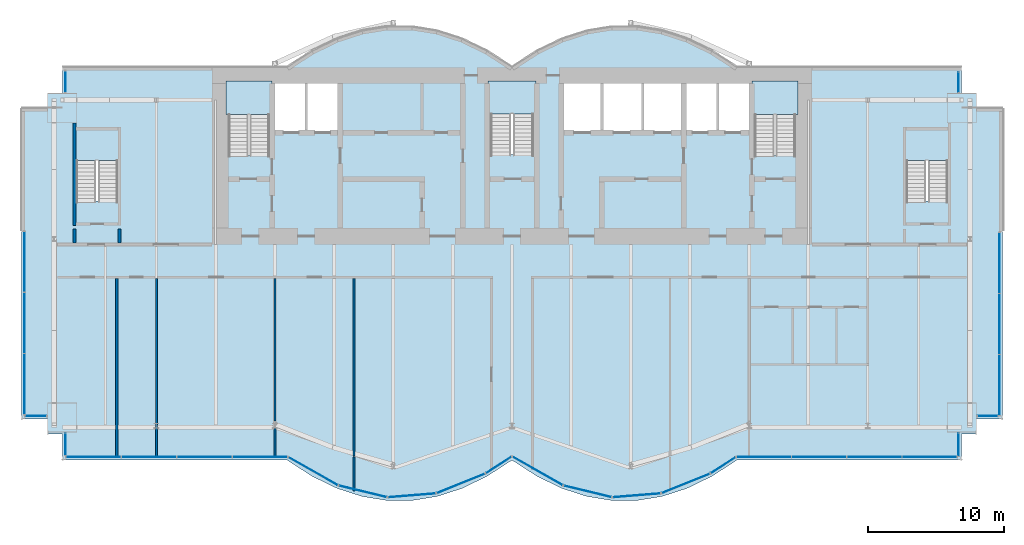
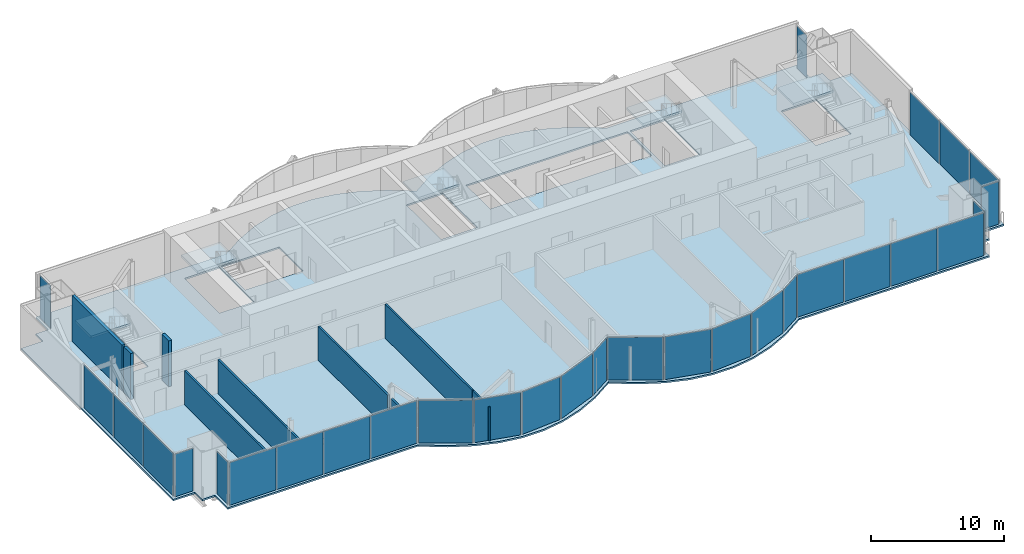
# One storey, part 12 of 19: 30 plates, 9 walls, 6 slabs, 17 elements without a shape of their own.
"""IFC4 building model written with IfcOpenShell, lengths in metres."""

from ifc_helpers import new_model, si_unit, direction, frame, frame_2d, origin, origin_2d, place, context, subcontext, project, spatial, polyline, rectangle, outline, extrude, material, layer, layer_set, type_object, element, aggregate, save


model = new_model("IFC4")

# Units and contexts
model_context = context("Model", 3, precision=1e-05, world=origin(), true_north=direction((0.0, 1.0)))
body_context = subcontext(model_context, "Body", "Model", "MODEL_VIEW")
ifc_project = project(units=[si_unit("LENGTHUNIT", "METRE"), si_unit("AREAUNIT", "SQUARE_METRE"), si_unit("VOLUMEUNIT", "CUBIC_METRE"), si_unit("PLANEANGLEUNIT", "RADIAN"), si_unit("MASSUNIT", "GRAM", prefix="KILO")], contexts=[model_context])

# Site, building, storey
site_placement = place(None, origin())
site = spatial("IfcSite", under=ifc_project, at=site_placement, CompositionType="ELEMENT")
building_placement = place(site_placement, origin())
building = spatial("IfcBuilding", under=site, at=building_placement, Name="Bicima Exchange Tower", CompositionType="ELEMENT")
storey_placement = place(building_placement, frame((0.0, 0.0, 266.60009765625)))
storey = spatial("IfcBuildingStorey", under=building, at=storey_placement, Name="L60", CompositionType="ELEMENT", Elevation=266.60009765625)

# Slab
ifc_material_1 = material(Name="Concrete C40/50", Category="concrete")
ifc_layer_1 = layer(ifc_material_1, 0.14990234375)
ifc_layer_set_1 = layer_set([ifc_layer_1], Name="Concrete C40/50")
slab_type_1 = type_object("IfcSlabType", Name="Composite floor slab 150", PredefinedType="FLOOR", material=ifc_layer_set_1)
slab_1_placement = place(storey_placement, frame((0.0, 0.0, -0.150146484375)))
element("IfcSlab", 1, at=slab_1_placement, inside=storey, type_object=slab_type_1, Name="Floor slab", PredefinedType="FLOOR", context=body_context, shape_type="SweptSolid", body=[
    extrude(outline(polyline([(-36.0, -25.823974609375), (-36.0, -3.0), (-34.10009765625, -3.0), (-34.10009765625, -1.89990234375), (-33.0, -1.89990234375), (-33.0, 0.0), (-16.5, 0.0), (-14.666748046875, 1.185302734375), (-12.833251953125, 2.07421875), (-11.0, 2.666748046875), (-9.166748046875, 2.962890625), (-7.333251953125, 2.962890625), (-5.5, 2.666748046875), (-3.666748046875, 2.07421875), (-1.833251953125, 1.185302734375), (0.0, 0.0), (1.833251953125, 1.185302734375), (3.666748046875, 2.07421875), (5.5, 2.666748046875), (7.333251953125, 2.962890625), (9.166748046875, 2.962890625), (11.0, 2.666748046875), (12.833251953125, 2.07421875), (14.666748046875, 1.185302734375), (16.5, 0.0), (33.0, 0.0), (33.0, -1.89990234375), (34.10009765625, -1.89990234375), (34.10009765625, -3.0), (36.0, -3.0), (36.0, -25.823974609375), (34.10009765625, -25.823974609375), (34.10009765625, -26.924072265625), (33.0, -26.924072265625), (33.0, -28.823974609375), (16.5, -28.823974609375), (14.666748046875, -30.00927734375), (12.833251953125, -30.898193359375), (11.0, -31.49072265625), (9.166748046875, -31.787109375), (7.333251953125, -31.787109375), (5.5, -31.49072265625), (3.666748046875, -30.898193359375), (1.833251953125, -30.00927734375), (0.0, -28.823974609375), (-1.833251953125, -30.00927734375), (-3.666748046875, -30.898193359375), (-5.5, -31.49072265625), (-7.333251953125, -31.787109375), (-9.166748046875, -31.787109375), (-11.0, -31.49072265625), (-12.833251953125, -30.898193359375), (-14.666748046875, -30.00927734375), (-16.5, -28.823974609375), (-33.0, -28.823974609375), (-33.0, -26.924072265625), (-34.10009765625, -26.924072265625), (-34.10009765625, -25.823974609375), (-36.0, -25.823974609375)]), holes=[polyline([(-28.925048828125, -9.824951171875), (-28.925048828125, -4.625), (-31.97509765625, -4.625), (-31.97509765625, -9.824951171875), (-28.925048828125, -9.824951171875)]), polyline([(-20.800048828125, -6.449951171875), (-17.800048828125, -6.449951171875), (-17.800048828125, -1.199951171875), (-20.800048828125, -1.199951171875), (-20.800048828125, -6.449951171875)]), polyline([(-1.574951171875, -6.39990234375), (1.574951171875, -6.39990234375), (1.574951171875, -1.199951171875), (-1.574951171875, -1.199951171875), (-1.574951171875, -6.39990234375)]), polyline([(-12.60009765625, -1.199951171875), (-15.10009765625, -1.199951171875), (-17.60009765625, -1.199951171875), (-17.60009765625, -4.800048828125), (-15.10009765625, -4.800048828125), (-12.60009765625, -4.800048828125), (-12.60009765625, -1.199951171875)]), polyline([(3.60009765625, -4.800048828125), (6.60009765625, -4.800048828125), (9.60009765625, -4.800048828125), (12.60009765625, -4.800048828125), (15.10009765625, -4.800048828125), (17.60009765625, -4.800048828125), (17.60009765625, -1.199951171875), (15.10009765625, -1.199951171875), (12.60009765625, -1.199951171875), (9.60009765625, -1.199951171875), (6.60009765625, -1.199951171875), (3.60009765625, -1.199951171875), (3.60009765625, -4.800048828125)]), polyline([(31.97509765625, -9.824951171875), (31.97509765625, -4.625), (28.925048828125, -4.625), (28.925048828125, -9.824951171875), (31.97509765625, -9.824951171875)]), polyline([(17.800048828125, -6.449951171875), (20.800048828125, -6.449951171875), (20.800048828125, -1.199951171875), (17.800048828125, -1.199951171875), (17.800048828125, -6.449951171875)])]), origin(), (0.0, 0.0, 1.0), 0.150146484375),
])

# Curtain wall, plate
ifc_material_2 = material(Name="Anodised bronze aluminium", Category="aluminium")
curtain_wall_type_1 = type_object("IfcCurtainWallType", Name="End face glass wall", PredefinedType="NOTDEFINED", material=ifc_material_2)
curtain_wall_1_placement = place(storey_placement, origin())
curtain_wall_1 = element("IfcCurtainWall", 2, at=curtain_wall_1_placement, inside=storey, type_object=curtain_wall_type_1, Name="End face glass wall L60 run 2", PredefinedType="NOTDEFINED")
ifc_material_3 = material(Name="Bronze tinted glass", Category="glass")
ifc_layer_2 = layer(ifc_material_3, 0.031982421875)
ifc_layer_set_2 = layer_set([ifc_layer_2], Name="Bronze tinted glass")
plate_type_1 = type_object("IfcPlateType", Name="End face glass wall glass panel 32", PredefinedType="CURTAIN_PANEL", material=ifc_layer_set_2)
plate_1_placement = place(storey_placement, frame((-35.77001953125, -23.24169921875, 0.0), z_axis=(0.0, 0.0, 1.0), x_axis=(0.0, -1.0, 0.0)))
plate_1 = element("IfcPlate", 3, at=plate_1_placement, type_object=plate_type_1, Name="End face glass wall panel 3.1", PredefinedType="CURTAIN_PANEL", context=body_context, shape_type="SweptSolid", body=[
    extrude(rectangle(XDim=4.4248046875, YDim=0.031982421875, at=origin_2d()), origin(), (0.0, 0.0, 1.0), 3.909912109375),
])

curtain_wall_2_placement = place(storey_placement, origin())
curtain_wall_2 = element("IfcCurtainWall", 4, at=curtain_wall_2_placement, inside=storey, type_object=curtain_wall_type_1, Name="End face glass wall L60 run 19", PredefinedType="NOTDEFINED")
plate_2_placement = place(storey_placement, frame((35.77001953125, -23.32177734375, 0.0), z_axis=(0.0, 0.0, 1.0), x_axis=(0.0, 1.0, 0.0)))
plate_2 = element("IfcPlate", 5, at=plate_2_placement, type_object=plate_type_1, Name="End face glass wall panel 1.1", PredefinedType="CURTAIN_PANEL", context=body_context, shape_type="SweptSolid", body=[
    extrude(rectangle(XDim=4.4248046875, YDim=0.031982421875, at=origin_2d()), origin(), (0.0, 0.0, 1.0), 3.909912109375),
])

# Plate
ifc_material_4 = material(Name="Bronze anodised aluminium", Category="aluminium")
ifc_layer_3 = layer(ifc_material_4, 0.031982421875)
ifc_layer_set_3 = layer_set([ifc_layer_3], Name="Bronze anodised aluminium")
plate_type_2 = type_object("IfcPlateType", Name="End face glass wall spandrel panel 32", PredefinedType="CURTAIN_PANEL", material=ifc_layer_set_3)
plate_3_placement = place(storey_placement, frame((-35.77001953125, -14.272216796875, 0.0), z_axis=(0.0, 0.0, 1.0), x_axis=(0.0, -1.0, 0.0)))
plate_3 = element("IfcPlate", 6, at=plate_3_placement, type_object=plate_type_2, Name="End face spandrel wall panel 1.1", PredefinedType="CURTAIN_PANEL", context=body_context, shape_type="SweptSolid", body=[
    extrude(rectangle(XDim=4.4248046875, YDim=0.031982421875, at=origin_2d()), origin(), (0.0, 0.0, 1.0), 3.909912109375),
])

plate_4_placement = place(storey_placement, frame((-35.77001953125, -18.757080078125, 0.0), z_axis=(0.0, 0.0, 1.0), x_axis=(0.0, -1.0, 0.0)))
plate_4 = element("IfcPlate", 7, at=plate_4_placement, type_object=plate_type_2, Name="End face spandrel wall panel 2.1", PredefinedType="CURTAIN_PANEL", context=body_context, shape_type="SweptSolid", body=[
    extrude(rectangle(XDim=4.4248046875, YDim=0.031982421875, at=origin_2d()), origin(), (0.0, 0.0, 1.0), 3.909912109375),
])

aggregate(curtain_wall_1, [plate_3, plate_4, plate_1])

plate_5_placement = place(storey_placement, frame((35.77001953125, -18.8369140625, 0.0), z_axis=(0.0, 0.0, 1.0), x_axis=(0.0, 1.0, 0.0)))
plate_5 = element("IfcPlate", 8, at=plate_5_placement, type_object=plate_type_2, Name="End face spandrel wall panel 2.1", PredefinedType="CURTAIN_PANEL", context=body_context, shape_type="SweptSolid", body=[
    extrude(rectangle(XDim=4.4248046875, YDim=0.031982421875, at=origin_2d()), origin(), (0.0, 0.0, 1.0), 3.909912109375),
])

plate_6_placement = place(storey_placement, frame((35.77001953125, -14.352294921875, 0.0), z_axis=(0.0, 0.0, 1.0), x_axis=(0.0, 1.0, 0.0)))
plate_6 = element("IfcPlate", 9, at=plate_6_placement, type_object=plate_type_2, Name="End face spandrel wall panel 3.1", PredefinedType="CURTAIN_PANEL", context=body_context, shape_type="SweptSolid", body=[
    extrude(rectangle(XDim=4.4248046875, YDim=0.031982421875, at=origin_2d()), origin(), (0.0, 0.0, 1.0), 3.909912109375),
])

aggregate(curtain_wall_2, [plate_2, plate_5, plate_6])

# Curtain wall, plate
curtain_wall_type_2 = type_object("IfcCurtainWallType", Name="Front glass wall", PredefinedType="NOTDEFINED", material=ifc_material_2)
curtain_wall_3_placement = place(storey_placement, origin())
curtain_wall_3 = element("IfcCurtainWall", 10, at=curtain_wall_3_placement, inside=storey, type_object=curtain_wall_type_2, Name="Front glass wall L60 run 1", PredefinedType="NOTDEFINED")
ifc_layer_4 = layer(ifc_material_3, 0.031982421875)
ifc_layer_set_4 = layer_set([ifc_layer_4], Name="Bronze tinted glass")
plate_type_3 = type_object("IfcPlateType", Name="Front glass wall glass panel 32", PredefinedType="CURTAIN_PANEL", material=ifc_layer_set_4)
plate_7_placement = place(storey_placement, frame((-32.77001953125, -1.06494140625, 0.0), z_axis=(0.0, 0.0, 1.0), x_axis=(0.0, -1.0, 0.0)))
plate_7 = element("IfcPlate", 11, at=plate_7_placement, type_object=plate_type_3, Name="Front glass wall panel 1.1", PredefinedType="CURTAIN_PANEL", context=body_context, shape_type="SweptSolid", body=[
    extrude(rectangle(XDim=1.550048828125, YDim=0.031982421875, at=origin_2d()), origin(), (0.0, 0.0, 1.0), 3.909912109375),
])
aggregate(curtain_wall_3, [plate_7])

curtain_wall_4_placement = place(storey_placement, origin())
curtain_wall_4 = element("IfcCurtainWall", 12, at=curtain_wall_4_placement, inside=storey, type_object=curtain_wall_type_2, Name="Front glass wall L60 run 3", PredefinedType="NOTDEFINED")
plate_8_placement = place(storey_placement, frame((-34.93505859375, -25.593994140625, 0.0), z_axis=(0.0, 0.0, 1.0), x_axis=(1.0, 0.0, 0.0)))
plate_8 = element("IfcPlate", 13, at=plate_8_placement, type_object=plate_type_3, Name="Front glass wall panel 1.1", PredefinedType="CURTAIN_PANEL", context=body_context, shape_type="SweptSolid", body=[
    extrude(rectangle(XDim=1.550048828125, YDim=0.031982421875, at=origin_2d()), origin(), (0.0, 0.0, 1.0), 3.909912109375),
])
aggregate(curtain_wall_4, [plate_8])

curtain_wall_5_placement = place(storey_placement, origin())
curtain_wall_5 = element("IfcCurtainWall", 14, at=curtain_wall_5_placement, inside=storey, type_object=curtain_wall_type_2, Name="Front glass wall L60 run 4", PredefinedType="NOTDEFINED")
plate_9_placement = place(storey_placement, frame((-32.77001953125, -27.657958984375, 0.0), z_axis=(0.0, 0.0, 1.0), x_axis=(0.0, -1.0, 0.0)))
plate_9 = element("IfcPlate", 15, at=plate_9_placement, type_object=plate_type_3, Name="Front glass wall panel 1.1", PredefinedType="CURTAIN_PANEL", context=body_context, shape_type="SweptSolid", body=[
    extrude(rectangle(XDim=1.592041015625, YDim=0.031982421875, at=origin_2d()), origin(), (0.0, 0.0, 1.0), 3.909912109375),
])
aggregate(curtain_wall_5, [plate_9])

# Curtain wall, plates
curtain_wall_6_placement = place(storey_placement, origin())
curtain_wall_6 = element("IfcCurtainWall", 16, at=curtain_wall_6_placement, inside=storey, type_object=curtain_wall_type_2, Name="Front glass wall L60 run 5", PredefinedType="NOTDEFINED")
plate_10_placement = place(storey_placement, frame((-30.705322265625, -28.593994140625, 0.0), z_axis=(0.0, 0.0, 1.0), x_axis=(1.0, 0.0, 0.0)))
plate_10 = element("IfcPlate", 17, at=plate_10_placement, type_object=plate_type_3, Name="Front glass wall panel 1.1", PredefinedType="CURTAIN_PANEL", context=body_context, shape_type="SweptSolid", body=[
    extrude(rectangle(XDim=4.009521484375, YDim=0.031982421875, at=origin_2d()), origin(), (0.0, 0.0, 1.0), 3.909912109375),
])
plate_11_placement = place(storey_placement, frame((-26.6357421875, -28.593994140625, 0.0), z_axis=(0.0, 0.0, 1.0), x_axis=(1.0, 0.0, 0.0)))
plate_11 = element("IfcPlate", 18, at=plate_11_placement, type_object=plate_type_3, Name="Front glass wall panel 2.1", PredefinedType="CURTAIN_PANEL", context=body_context, shape_type="SweptSolid", body=[
    extrude(rectangle(XDim=4.009521484375, YDim=0.031982421875, at=origin_2d()), origin(), (0.0, 0.0, 1.0), 3.909912109375),
])
plate_12_placement = place(storey_placement, frame((-22.56640625, -28.593994140625, 0.0), z_axis=(0.0, 0.0, 1.0), x_axis=(1.0, 0.0, 0.0)))
plate_12 = element("IfcPlate", 19, at=plate_12_placement, type_object=plate_type_3, Name="Front glass wall panel 3.1", PredefinedType="CURTAIN_PANEL", context=body_context, shape_type="SweptSolid", body=[
    extrude(rectangle(XDim=4.009521484375, YDim=0.031982421875, at=origin_2d()), origin(), (0.0, 0.0, 1.0), 3.909912109375),
])
plate_13_placement = place(storey_placement, frame((-18.496826171875, -28.593994140625, 0.0), z_axis=(0.0, 0.0, 1.0), x_axis=(1.0, 0.0, 0.0)))
plate_13 = element("IfcPlate", 20, at=plate_13_placement, type_object=plate_type_3, Name="Front glass wall panel 4.1", PredefinedType="CURTAIN_PANEL", context=body_context, shape_type="SweptSolid", body=[
    extrude(rectangle(XDim=4.009521484375, YDim=0.031982421875, at=origin_2d()), origin(), (0.0, 0.0, 1.0), 3.909912109375),
])
aggregate(curtain_wall_6, [plate_10, plate_11, plate_12, plate_13])

curtain_wall_7_placement = place(storey_placement, origin())
curtain_wall_7 = element("IfcCurtainWall", 21, at=curtain_wall_7_placement, inside=storey, type_object=curtain_wall_type_2, Name="Front glass wall L60 run 6", PredefinedType="NOTDEFINED")
plate_14_placement = place(storey_placement, frame((-10.94775390625, -31.12060546875, 0.0), z_axis=(0.0, 0.0, 1.0), x_axis=(0.971830343553, -0.235681529503, 0.0)))
plate_14 = element("IfcPlate", 22, at=plate_14_placement, type_object=plate_type_3, Name="Front glass wall panel 1.1", PredefinedType="CURTAIN_PANEL", context=body_context, shape_type="SweptSolid", body=[
    extrude(rectangle(XDim=3.583251953125, YDim=0.031982421875, at=origin_2d()), origin(), (0.0, 0.0, 1.0), 3.909912109375),
])
plate_15_placement = place(storey_placement, frame((-7.35107421875, -31.41162109375, 0.0), z_axis=(0.0, 0.0, 1.0), x_axis=(0.99674744821, 0.080588612633, 0.0)))
plate_15 = element("IfcPlate", 23, at=plate_15_placement, type_object=plate_type_3, Name="Front glass wall panel 1.1", PredefinedType="CURTAIN_PANEL", context=body_context, shape_type="SweptSolid", body=[
    extrude(rectangle(XDim=3.486083984375, YDim=0.031982421875, at=origin_2d()), origin(), (0.0, 0.0, 1.0), 3.909912109375),
])
plate_16_placement = place(storey_placement, frame((-3.750244140625, -30.537353515625, 0.0), z_axis=(0.0, 0.0, 1.0), x_axis=(0.92714396679, 0.374705304, 0.0)))
plate_16 = element("IfcPlate", 24, at=plate_16_placement, type_object=plate_type_3, Name="Front glass wall panel 1.1", PredefinedType="CURTAIN_PANEL", context=body_context, shape_type="SweptSolid", body=[
    extrude(rectangle(XDim=3.771240234375, YDim=0.031982421875, at=origin_2d()), origin(), (0.0, 0.0, 1.0), 3.909912109375),
])
plate_17_placement = place(storey_placement, frame((-0.97314453125, -29.17919921875, 0.0), z_axis=(0.0, 0.0, 1.0), x_axis=(0.839798994301, 0.542897457326, 0.0)))
plate_17 = element("IfcPlate", 25, at=plate_17_placement, type_object=plate_type_3, Name="Front glass wall panel 1.1", PredefinedType="CURTAIN_PANEL", context=body_context, shape_type="SweptSolid", body=[
    extrude(rectangle(XDim=2.197509765625, YDim=0.031982421875, at=origin_2d()), origin(), (0.0, 0.0, 1.0), 3.909912109375),
])

curtain_wall_8_placement = place(storey_placement, origin())
curtain_wall_8 = element("IfcCurtainWall", 26, at=curtain_wall_8_placement, inside=storey, type_object=curtain_wall_type_2, Name="Front glass wall L60 run 11", PredefinedType="NOTDEFINED")
plate_18_placement = place(storey_placement, frame((1.876220703125, -29.6171875, 0.0), z_axis=(0.0, 0.0, 1.0), x_axis=(0.869274147378, -0.494330311331, 0.0)))
plate_18 = element("IfcPlate", 27, at=plate_18_placement, type_object=plate_type_3, Name="Front glass wall panel 1.1", PredefinedType="CURTAIN_PANEL", context=body_context, shape_type="SweptSolid", body=[
    extrude(rectangle(XDim=4.197021484375, YDim=0.031982421875, at=origin_2d()), origin(), (0.0, 0.0, 1.0), 3.909912109375),
])
plate_19_placement = place(storey_placement, frame((5.55224609375, -31.12060546875, 0.0), z_axis=(0.0, 0.0, 1.0), x_axis=(0.971830343553, -0.235681529503, 0.0)))
plate_19 = element("IfcPlate", 28, at=plate_19_placement, type_object=plate_type_3, Name="Front glass wall panel 1.1", PredefinedType="CURTAIN_PANEL", context=body_context, shape_type="SweptSolid", body=[
    extrude(rectangle(XDim=3.583251953125, YDim=0.031982421875, at=origin_2d()), origin(), (0.0, 0.0, 1.0), 3.909912109375),
])
plate_20_placement = place(storey_placement, frame((9.14892578125, -31.41162109375, 0.0), z_axis=(0.0, 0.0, 1.0), x_axis=(0.99674744821, 0.080588612633, 0.0)))
plate_20 = element("IfcPlate", 29, at=plate_20_placement, type_object=plate_type_3, Name="Front glass wall panel 1.1", PredefinedType="CURTAIN_PANEL", context=body_context, shape_type="SweptSolid", body=[
    extrude(rectangle(XDim=3.486083984375, YDim=0.031982421875, at=origin_2d()), origin(), (0.0, 0.0, 1.0), 3.909912109375),
])
plate_21_placement = place(storey_placement, frame((15.492919921875, -29.201171875, 0.0), z_axis=(0.0, 0.0, 1.0), x_axis=(0.839791413941, 0.542909183079, 0.0)))
plate_21 = element("IfcPlate", 30, at=plate_21_placement, type_object=plate_type_3, Name="Front glass wall panel 1.1", PredefinedType="CURTAIN_PANEL", context=body_context, shape_type="SweptSolid", body=[
    extrude(rectangle(XDim=2.11669921875, YDim=0.031982421875, at=origin_2d()), origin(), (0.0, 0.0, 1.0), 3.909912109375),
])

curtain_wall_9_placement = place(storey_placement, origin())
curtain_wall_9 = element("IfcCurtainWall", 31, at=curtain_wall_9_placement, inside=storey, type_object=curtain_wall_type_2, Name="Front glass wall L60 run 16", PredefinedType="NOTDEFINED")
plate_22_placement = place(storey_placement, frame((18.48681640625, -28.593994140625, 0.0), z_axis=(0.0, 0.0, 1.0), x_axis=(1.0, 0.0, 0.0)))
plate_22 = element("IfcPlate", 32, at=plate_22_placement, type_object=plate_type_3, Name="Front glass wall panel 1.1", PredefinedType="CURTAIN_PANEL", context=body_context, shape_type="SweptSolid", body=[
    extrude(rectangle(XDim=3.989501953125, YDim=0.031982421875, at=origin_2d()), origin(), (0.0, 0.0, 1.0), 3.909912109375),
])
plate_23_placement = place(storey_placement, frame((22.536376953125, -28.593994140625, 0.0), z_axis=(0.0, 0.0, 1.0), x_axis=(1.0, 0.0, 0.0)))
plate_23 = element("IfcPlate", 33, at=plate_23_placement, type_object=plate_type_3, Name="Front glass wall panel 2.1", PredefinedType="CURTAIN_PANEL", context=body_context, shape_type="SweptSolid", body=[
    extrude(rectangle(XDim=3.989501953125, YDim=0.031982421875, at=origin_2d()), origin(), (0.0, 0.0, 1.0), 3.909912109375),
])
plate_24_placement = place(storey_placement, frame((26.585693359375, -28.593994140625, 0.0), z_axis=(0.0, 0.0, 1.0), x_axis=(1.0, 0.0, 0.0)))
plate_24 = element("IfcPlate", 34, at=plate_24_placement, type_object=plate_type_3, Name="Front glass wall panel 3.1", PredefinedType="CURTAIN_PANEL", context=body_context, shape_type="SweptSolid", body=[
    extrude(rectangle(XDim=3.989501953125, YDim=0.031982421875, at=origin_2d()), origin(), (0.0, 0.0, 1.0), 3.909912109375),
])
plate_25_placement = place(storey_placement, frame((30.63525390625, -28.593994140625, 0.0), z_axis=(0.0, 0.0, 1.0), x_axis=(1.0, 0.0, 0.0)))
plate_25 = element("IfcPlate", 35, at=plate_25_placement, type_object=plate_type_3, Name="Front glass wall panel 4.1", PredefinedType="CURTAIN_PANEL", context=body_context, shape_type="SweptSolid", body=[
    extrude(rectangle(XDim=3.989501953125, YDim=0.031982421875, at=origin_2d()), origin(), (0.0, 0.0, 1.0), 3.909912109375),
])
aggregate(curtain_wall_9, [plate_22, plate_23, plate_24, plate_25])

# Curtain wall, plate
curtain_wall_10_placement = place(storey_placement, origin())
curtain_wall_10 = element("IfcCurtainWall", 36, at=curtain_wall_10_placement, inside=storey, type_object=curtain_wall_type_2, Name="Front glass wall L60 run 17", PredefinedType="NOTDEFINED")
plate_26_placement = place(storey_placement, frame((32.77001953125, -27.697998046875, 0.0), z_axis=(0.0, 0.0, 1.0), x_axis=(0.0, 1.0, 0.0)))
plate_26 = element("IfcPlate", 37, at=plate_26_placement, type_object=plate_type_3, Name="Front glass wall panel 1.1", PredefinedType="CURTAIN_PANEL", context=body_context, shape_type="SweptSolid", body=[
    extrude(rectangle(XDim=1.672119140625, YDim=0.031982421875, at=origin_2d()), origin(), (0.0, 0.0, 1.0), 3.909912109375),
])
aggregate(curtain_wall_10, [plate_26])

curtain_wall_11_placement = place(storey_placement, origin())
curtain_wall_11 = element("IfcCurtainWall", 38, at=curtain_wall_11_placement, inside=storey, type_object=curtain_wall_type_2, Name="Front glass wall L60 run 18", PredefinedType="NOTDEFINED")
plate_27_placement = place(storey_placement, frame((34.89501953125, -25.593994140625, 0.0), z_axis=(0.0, 0.0, 1.0), x_axis=(1.0, 0.0, 0.0)))
plate_27 = element("IfcPlate", 39, at=plate_27_placement, type_object=plate_type_3, Name="Front glass wall panel 1.1", PredefinedType="CURTAIN_PANEL", context=body_context, shape_type="SweptSolid", body=[
    extrude(rectangle(XDim=1.469970703125, YDim=0.031982421875, at=origin_2d()), origin(), (0.0, 0.0, 1.0), 3.909912109375),
])
aggregate(curtain_wall_11, [plate_27])

curtain_wall_12_placement = place(storey_placement, origin())
curtain_wall_12 = element("IfcCurtainWall", 40, at=curtain_wall_12_placement, inside=storey, type_object=curtain_wall_type_2, Name="Front glass wall L60 run 20", PredefinedType="NOTDEFINED")
plate_28_placement = place(storey_placement, frame((32.77001953125, -1.10498046875, 0.0), z_axis=(0.0, 0.0, 1.0), x_axis=(0.0, 1.0, 0.0)))
plate_28 = element("IfcPlate", 41, at=plate_28_placement, type_object=plate_type_3, Name="Front glass wall panel 1.1", PredefinedType="CURTAIN_PANEL", context=body_context, shape_type="SweptSolid", body=[
    extrude(rectangle(XDim=1.469970703125, YDim=0.031982421875, at=origin_2d()), origin(), (0.0, 0.0, 1.0), 3.909912109375),
])
aggregate(curtain_wall_12, [plate_28])

# Plate
ifc_layer_5 = layer(ifc_material_4, 0.031982421875)
ifc_layer_set_5 = layer_set([ifc_layer_5], Name="Bronze anodised aluminium")
plate_type_4 = type_object("IfcPlateType", Name="Front glass wall spandrel panel 32", PredefinedType="CURTAIN_PANEL", material=ifc_layer_set_5)
plate_29_placement = place(storey_placement, frame((-14.589599609375, -29.63916015625, 0.0), z_axis=(0.0, 0.0, 1.0), x_axis=(0.869805110681, -0.493395449343, 0.0)))
plate_29 = element("IfcPlate", 42, at=plate_29_placement, type_object=plate_type_4, Name="Front spandrel wall panel 1.1", PredefinedType="CURTAIN_PANEL", context=body_context, shape_type="SweptSolid", body=[
    extrude(rectangle(XDim=4.1162109375, YDim=0.031982421875, at=origin_2d()), origin(), (0.0, 0.0, 1.0), 3.909912109375),
])

aggregate(curtain_wall_7, [plate_29, plate_14, plate_15, plate_16, plate_17])

plate_30_placement = place(storey_placement, frame((12.749755859375, -30.537353515625, 0.0), z_axis=(0.0, 0.0, 1.0), x_axis=(0.92714396679, 0.374705304, 0.0)))
plate_30 = element("IfcPlate", 43, at=plate_30_placement, type_object=plate_type_4, Name="Front spandrel wall panel 1.1", PredefinedType="CURTAIN_PANEL", context=body_context, shape_type="SweptSolid", body=[
    extrude(rectangle(XDim=3.771240234375, YDim=0.031982421875, at=origin_2d()), origin(), (0.0, 0.0, 1.0), 3.909912109375),
])

aggregate(curtain_wall_8, [plate_18, plate_19, plate_20, plate_30, plate_21])

# Stair, slab
ifc_material_5 = material(Name="Concrete C50/60", Category="concrete")
stair_type_1 = type_object("IfcStairType", Name="Exit stair", PredefinedType="HALF_TURN_STAIR", material=ifc_material_5)
stair_1_placement = place(storey_placement, origin())
stair_1 = element("IfcStair", 44, at=stair_1_placement, inside=storey, type_object=stair_type_1, Name="L60 West exit stair", PredefinedType="HALF_TURN_STAIR")
ifc_layer_6 = layer(ifc_material_5, 0.199951171875)
ifc_layer_set_6 = layer_set([ifc_layer_6], Name="Concrete C50/60")
slab_type_2 = type_object("IfcSlabType", Name="Stair landing slab", PredefinedType="LANDING", material=ifc_layer_set_6)
slab_2_placement = place(storey_placement, frame((0.0, 0.0, 1.89990234375)))
slab_2 = element("IfcSlab", 45, at=slab_2_placement, type_object=slab_type_2, Name="ST-W landing 1", PredefinedType="LANDING", context=body_context, shape_type="SweptSolid", body=[
    extrude(outline(polyline([(-17.60009765625, -3.469970703125), (-17.60009765625, -1.0), (-21.0, -1.0), (-21.0, -3.469970703125), (-17.60009765625, -3.469970703125)])), origin(), (0.0, 0.0, 1.0), 0.199951171875),
])
aggregate(stair_1, [slab_2])

stair_type_2 = type_object("IfcStairType", Name="Exit stair 1500", PredefinedType="HALF_TURN_STAIR", material=ifc_material_5)
stair_2_placement = place(storey_placement, origin())
stair_2 = element("IfcStair", 46, at=stair_2_placement, inside=storey, type_object=stair_type_2, Name="L60 Central exit stair", PredefinedType="HALF_TURN_STAIR")
slab_3_placement = place(storey_placement, frame((0.0, 0.0, 1.89990234375)))
slab_3 = element("IfcSlab", 47, at=slab_3_placement, type_object=slab_type_2, Name="ST-C landing 1", PredefinedType="LANDING", context=body_context, shape_type="SweptSolid", body=[
    extrude(outline(polyline([(1.77490234375, -3.419921875), (1.77490234375, -1.0), (-1.77490234375, -1.0), (-1.77490234375, -3.419921875), (1.77490234375, -3.419921875)])), origin(), (0.0, 0.0, 1.0), 0.199951171875),
])
aggregate(stair_2, [slab_3])

stair_3_placement = place(storey_placement, origin())
stair_3 = element("IfcStair", 48, at=stair_3_placement, inside=storey, type_object=stair_type_1, Name="L60 East exit stair", PredefinedType="HALF_TURN_STAIR")
slab_4_placement = place(storey_placement, frame((0.0, 0.0, 1.89990234375)))
slab_4 = element("IfcSlab", 49, at=slab_4_placement, type_object=slab_type_2, Name="ST-E landing 1", PredefinedType="LANDING", context=body_context, shape_type="SweptSolid", body=[
    extrude(outline(polyline([(21.0, -3.469970703125), (21.0, -1.0), (17.60009765625, -1.0), (17.60009765625, -3.469970703125), (21.0, -3.469970703125)])), origin(), (0.0, 0.0, 1.0), 0.199951171875),
])
aggregate(stair_3, [slab_4])

stair_4_placement = place(storey_placement, origin())
stair_4 = element("IfcStair", 50, at=stair_4_placement, inside=storey, type_object=stair_type_1, Name="L60 West end exit stair", PredefinedType="HALF_TURN_STAIR")
slab_5_placement = place(storey_placement, frame((0.0, 0.0, 1.89990234375)))
slab_5 = element("IfcSlab", 51, at=slab_5_placement, type_object=slab_type_2, Name="ST-WW landing 1", PredefinedType="LANDING", context=body_context, shape_type="SweptSolid", body=[
    extrude(outline(polyline([(-28.72509765625, -6.844970703125), (-28.72509765625, -4.425048828125), (-32.175048828125, -4.425048828125), (-32.175048828125, -6.844970703125), (-28.72509765625, -6.844970703125)])), origin(), (0.0, 0.0, 1.0), 0.199951171875),
])
aggregate(stair_4, [slab_5])

stair_5_placement = place(storey_placement, origin())
stair_5 = element("IfcStair", 52, at=stair_5_placement, inside=storey, type_object=stair_type_1, Name="L60 East end exit stair", PredefinedType="HALF_TURN_STAIR")
slab_6_placement = place(storey_placement, frame((0.0, 0.0, 1.89990234375)))
slab_6 = element("IfcSlab", 53, at=slab_6_placement, type_object=slab_type_2, Name="ST-EE landing 1", PredefinedType="LANDING", context=body_context, shape_type="SweptSolid", body=[
    extrude(outline(polyline([(32.175048828125, -6.844970703125), (32.175048828125, -4.425048828125), (28.72509765625, -4.425048828125), (28.72509765625, -6.844970703125), (32.175048828125, -6.844970703125)])), origin(), (0.0, 0.0, 1.0), 0.199951171875),
])
aggregate(stair_5, [slab_6])

# Walls
ifc_material_6 = material(Name="Gypsum board partition")
ifc_layer_7 = layer(ifc_material_6, 0.14990234375)
ifc_layer_set_7 = layer_set([ifc_layer_7], Name="Gypsum board partition")
wall_type_1 = type_object("IfcWallType", Name="Gypsum partition 150", PredefinedType="PARTITIONING", material=ifc_layer_set_7)
for number, where, z_axis, x_axis, name in (
    (54, (-29.0, -28.610107421875, 0.0), (0.0, 0.0, 1.0), (0.0, 1.0, 0.0), "partition wall 12"),
    (55, (-26.10009765625, -28.610107421875, 0.0), (0.0, 0.0, 1.0), (0.0, 1.0, 0.0), "partition wall 14"),
):
    element("IfcWall", number, at=place(storey_placement, frame(where, z_axis=z_axis, x_axis=x_axis)), inside=storey, type_object=wall_type_1, Name=name, PredefinedType="PARTITIONING", context=body_context, shape_type="SweptSolid", body=[
        extrude(rectangle(XDim=13.110107421875, YDim=0.14990234375, at=frame_2d((6.55517578125, 0.0))), origin(), (0.0, 0.0, 1.0), 3.1181640625),
    ])
wall_1_placement = place(storey_placement, frame((-17.39990234375, -28.610107421875, 0.0), z_axis=(0.0, 0.0, 1.0), x_axis=(0.0, 1.0, 0.0)))
element("IfcWall", 56, at=wall_1_placement, inside=storey, type_object=wall_type_1, Name="partition wall 15", PredefinedType="PARTITIONING", context=body_context, shape_type="SweptSolid", body=[
    extrude(rectangle(XDim=2.186279296875, YDim=0.14990234375, at=frame_2d((1.09326171875, 0.0))), origin(), (0.0, 0.0, 1.0), 3.1181640625),
])
wall_2_placement = place(storey_placement, frame((-17.39990234375, -25.93603515625, 0.0), z_axis=(0.0, 0.0, 1.0), x_axis=(0.0, 1.0, 0.0)))
element("IfcWall", 57, at=wall_2_placement, inside=storey, type_object=wall_type_1, Name="partition wall 16", PredefinedType="PARTITIONING", context=body_context, shape_type="SweptSolid", body=[
    extrude(rectangle(XDim=10.43603515625, YDim=0.14990234375, at=frame_2d((5.218017578125, 0.0))), origin(), (0.0, 0.0, 1.0), 3.1181640625),
])
wall_3_placement = place(storey_placement, frame((-11.60009765625, -31.080078125, 0.0), z_axis=(0.0, 0.0, 1.0), x_axis=(0.0, 1.0, 0.0)))
element("IfcWall", 58, at=wall_3_placement, inside=storey, type_object=wall_type_1, Name="partition wall 17", PredefinedType="PARTITIONING", context=body_context, shape_type="SweptSolid", body=[
    extrude(rectangle(XDim=2.469970703125, YDim=0.14990234375, at=frame_2d((1.23486328125, 0.0))), origin(), (0.0, 0.0, 1.0), 3.1181640625),
])
wall_4_placement = place(storey_placement, frame((-11.60009765625, -28.510986328125, 0.0), z_axis=(0.0, 0.0, 1.0), x_axis=(0.0, 1.0, 0.0)))
element("IfcWall", 59, at=wall_4_placement, inside=storey, type_object=wall_type_1, Name="partition wall 18", PredefinedType="PARTITIONING", context=body_context, shape_type="SweptSolid", body=[
    extrude(rectangle(XDim=13.010986328125, YDim=0.14990234375, at=frame_2d((6.50537109375, 0.0))), origin(), (0.0, 0.0, 1.0), 3.1181640625),
])
ifc_layer_8 = layer(ifc_material_5, 0.25)
ifc_layer_set_8 = layer_set([ifc_layer_8], Name="Concrete C50/60")
wall_type_2 = type_object("IfcWallType", Name="RC core wall 250 C50/60", PredefinedType="SHEAR", material=ifc_layer_set_8)
for number, where, z_axis, x_axis, name in (
    (60, (-32.10009765625, -12.89990234375, 0.0), (0.0, 0.0, 1.0), (0.0, 1.0, 0.0), "stair wall 11"),
    (61, (-28.800048828125, -12.89990234375, 0.0), (0.0, 0.0, 1.0), (0.0, 1.0, 0.0), "stair wall 13"),
):
    element("IfcWall", number, at=place(storey_placement, frame(where, z_axis=z_axis, x_axis=x_axis)), inside=storey, type_object=wall_type_2, Name=name, PredefinedType="SHEAR", context=body_context, shape_type="SweptSolid", body=[
        extrude(rectangle(XDim=1.0498046875, YDim=0.25, at=frame_2d((0.52490234375, 0.0))), origin(), (0.0, 0.0, 1.0), 4.199951171875),
    ])
ifc_layer_9 = layer(ifc_material_5, 0.25)
ifc_layer_set_9 = layer_set([ifc_layer_9], Name="Concrete C50/60")
wall_type_3 = type_object("IfcWallType", Name="RC stair enclosure wall 250 C50/60", PredefinedType="SHEAR", material=ifc_layer_set_9)
wall_5_placement = place(storey_placement, frame((-32.10009765625, -11.625, 0.0), z_axis=(0.0, 0.0, 1.0), x_axis=(0.0, 1.0, 0.0)))
element("IfcWall", 62, at=wall_5_placement, inside=storey, type_object=wall_type_3, Name="West end exit stair wall W", PredefinedType="SHEAR", context=body_context, shape_type="SweptSolid", body=[
    extrude(rectangle(XDim=7.52490234375, YDim=0.25, at=frame_2d((3.762451171875, 0.0))), origin(), (0.0, 0.0, 1.0), 4.199951171875),
])

save(model, "model.ifc")
